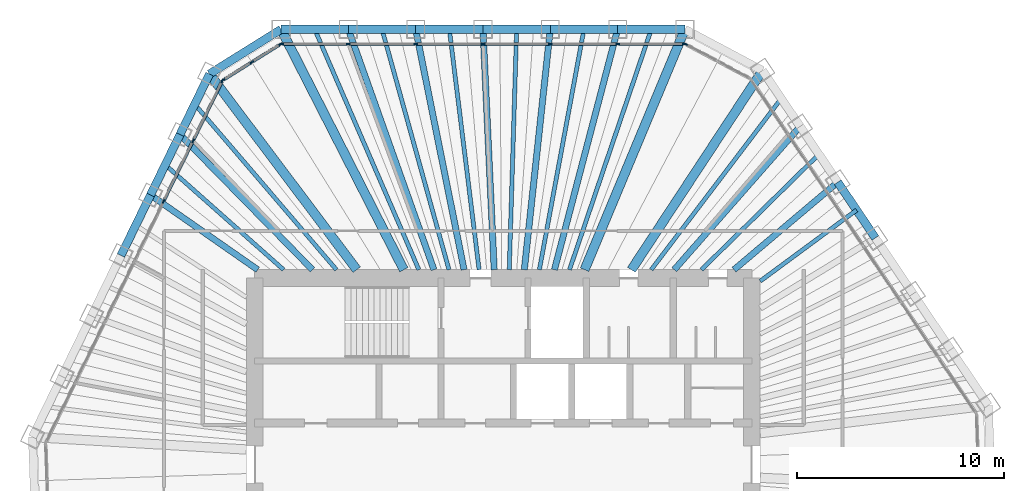
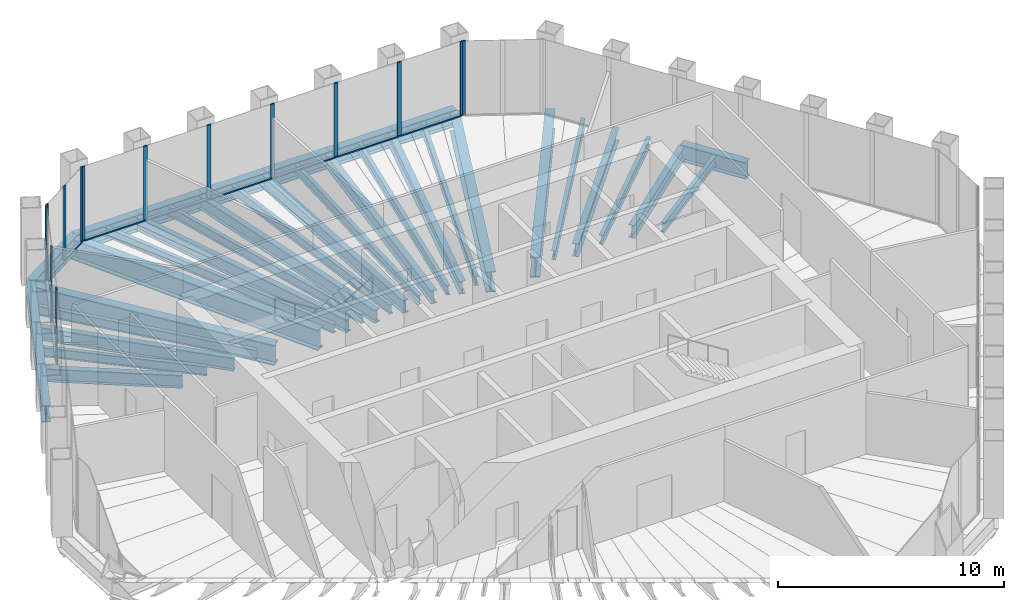
# One storey, part 7 of 14: 35 beams, 24 members, 4 elements without a shape of their own.
"""IFC4 building model written with IfcOpenShell, lengths in metres."""

import ifcopenshell
import ifcopenshell.guid

model = None  # the IFC model being written
_history = None  # IfcOwnerHistory: only IFC2X3 demands one
_inside = {}  # id of a spatial element -> (the spatial element, [elements in it])
_under = {}  # id of a project, library or spatial element -> (it, [spatial elements below it])
_declared = {}  # id of a project -> (the project, [libraries it declares])
_typed = {}  # id of a type object -> (the type object, [elements of that type])
_made_of = {}  # id of a material, layer set ... -> (it, [elements and type objects made of it])


def new_model(schema):
    """Start an empty IFC model of exactly this schema.

    Asked for "IFC4X3", IfcOpenShell would pick the latest addendum, in which some entities
    have other attributes; the version numbers below select the first issue.
    IFC2X3 requires an IfcOwnerHistory on every rooted entity: one is made here for all.
    """
    global model, _history
    if schema == "IFC4X3":
        model = ifcopenshell.file(schema_version=(4, 3, 0, 0))
    else:
        model = ifcopenshell.file(schema=schema)
    _inside.clear()
    _under.clear()
    _declared.clear()
    _typed.clear()
    _made_of.clear()
    _history = None
    if model.schema == "IFC2X3":
        org = make("IfcOrganization", Name="unknown")
        user = make(
            "IfcPersonAndOrganization",
            ThePerson=make("IfcPerson", FamilyName="unknown"),
            TheOrganization=org,
        )
        app = make(
            "IfcApplication",
            ApplicationDeveloper=org,
            Version="unknown",
            ApplicationFullName="unknown",
            ApplicationIdentifier="unknown",
        )
        _history = make(
            "IfcOwnerHistory",
            OwningUser=user,
            OwningApplication=app,
            ChangeAction="ADDED",
            CreationDate=0,
        )
    return model


def make(cls, **values):
    """One entity of the class cls with the attributes given. An attribute that is None is left unset."""
    return model.create_entity(
        cls, **{name: value for name, value in values.items() if value is not None}
    )


def rooted(cls, **values):
    """An entity with a GlobalId (a new one), such as an element, a storey or a relation."""
    return make(cls, GlobalId=ifcopenshell.guid.new(), OwnerHistory=_history, **values)


def si_unit(unit_type, name, prefix=None):
    """IfcSIUnit, for example si_unit("LENGTHUNIT", "METRE", prefix="MILLI")."""
    return make("IfcSIUnit", UnitType=unit_type, Prefix=prefix, Name=name)


def assignment(units):
    """IfcUnitAssignment: the units of a project."""
    return None if units is None else make("IfcUnitAssignment", Units=units)


def point(xyz):
    """IfcCartesianPoint."""
    return None if xyz is None else make("IfcCartesianPoint", Coordinates=xyz)


def direction(xyz):
    """IfcDirection."""
    return None if xyz is None else make("IfcDirection", DirectionRatios=xyz)


def frame(location, z_axis=None, x_axis=None):
    """IfcAxis2Placement3D, a coordinate frame: its origin and axes. An axis left out is left unset."""
    return make(
        "IfcAxis2Placement3D",
        Location=point(location),
        Axis=direction(z_axis),
        RefDirection=direction(x_axis),
    )


def frame_2d(location, x_axis=None):
    """IfcAxis2Placement2D, a coordinate frame in the plane: its origin and x axis."""
    return make(
        "IfcAxis2Placement2D", Location=point(location), RefDirection=direction(x_axis)
    )


def origin():
    """The frame at (0, 0, 0) with its axes left unset."""
    return frame((0.0, 0.0, 0.0))


def origin_2d():
    """The frame at (0, 0) in the plane with its x axis left unset."""
    return frame_2d((0.0, 0.0))


def place(relative_to, where):
    """IfcLocalPlacement: puts the frame where relative to a parent placement (None: the world)."""
    return make(
        "IfcLocalPlacement", PlacementRelTo=relative_to, RelativePlacement=where
    )


def context(
    kind, dimensions, precision=None, world=None, true_north=None, identifier=None
):
    """IfcGeometricRepresentationContext, for example the 3D "Model" context."""
    return make(
        "IfcGeometricRepresentationContext",
        ContextIdentifier=identifier,
        ContextType=kind,
        CoordinateSpaceDimension=dimensions,
        Precision=precision,
        WorldCoordinateSystem=world,
        TrueNorth=true_north,
    )


def subcontext(parent, identifier, kind, view, scale=None):
    """IfcGeometricRepresentationSubContext, for example "Body" below "Model"."""
    return make(
        "IfcGeometricRepresentationSubContext",
        ContextIdentifier=identifier,
        ContextType=kind,
        ParentContext=parent,
        TargetScale=scale,
        TargetView=view,
    )


def project(units=None, contexts=None):
    """IfcProject with its units and contexts."""
    return rooted(
        "IfcProject",
        Name="project",
        RepresentationContexts=contexts,
        UnitsInContext=assignment(units),
    )


def spatial(cls, under=None, at=None, **own):
    """A site, building, storey or space (cls), placed at a placement, below another one or the project."""
    s = rooted(cls, ObjectPlacement=at, **own)
    if under is not None:
        _under.setdefault(under.id(), (under, []))[1].append(s)
    return s


def profile(cls, at=None, kind="AREA", **sizes):
    """A parametric profile (cls). Its sizes go by their IFC names, for example OverallWidth=200.0."""
    return make(cls, ProfileType=kind, Position=at, **sizes)


def rectangle(**sizes):
    """IfcRectangleProfileDef."""
    return profile("IfcRectangleProfileDef", **sizes)


def i_section(**sizes):
    """IfcIShapeProfileDef."""
    return profile("IfcIShapeProfileDef", **sizes)


def extrude(swept, where, along, depth):
    """IfcExtrudedAreaSolid: the profile swept, set in the frame where, extruded along a direction by depth."""
    return make(
        "IfcExtrudedAreaSolid",
        SweptArea=swept,
        Position=where,
        ExtrudedDirection=direction(along),
        Depth=depth,
    )


def shape(context_of_items, identifier, shape_type, items):
    """IfcShapeRepresentation: the items that make up one representation, for example the "Body"."""
    return make(
        "IfcShapeRepresentation",
        ContextOfItems=context_of_items,
        RepresentationIdentifier=identifier,
        RepresentationType=shape_type,
        Items=items,
    )


def material(Name=None, Category=None):
    """IfcMaterial."""
    return make("IfcMaterial", Name=Name, Category=Category)


def material_profile(
    of_material, cross_section, Name=None, Category=None, Priority=None
):
    """IfcMaterialProfile: a cross section and its material."""
    return make(
        "IfcMaterialProfile",
        Name=Name,
        Material=of_material,
        Profile=cross_section,
        Priority=Priority,
        Category=Category,
    )


def profile_set(profiles, Name=None, composite=None):
    """IfcMaterialProfileSet."""
    return make(
        "IfcMaterialProfileSet",
        Name=Name,
        MaterialProfiles=profiles,
        CompositeProfile=composite,
    )


def made_of(thing, what):
    """Note that an element or type object is made of a material, layer set ...; save() writes the relation."""
    if what is not None:
        _made_of.setdefault(what.id(), (what, []))[1].append(thing)
    return thing


def type_object(cls, material=None, **own):
    """A type object (cls), such as IfcWallType, which elements share."""
    return made_of(rooted(cls, **own), material)


def element(
    cls,
    number,
    at=None,
    inside=None,
    cuts=None,
    type_object=None,
    material=None,
    context=None,
    identifier="Body",
    shape_type=None,
    held_by="IfcProductDefinitionShape",
    body=None,
    shapes=None,
    **own,
):
    """One element of the class cls, such as IfcWall. Its Tag is "e" and its number.

    at: its placement. inside: the storey or other place that contains it. cuts: it is an
    opening in that element (IfcRelVoidsElement). A single representation is given by context,
    identifier, shape_type and body (its items); several are given by shapes. held_by: the class
    of the entity that holds the representations. save() writes the other relations.
    """
    e = rooted(cls, Tag="e%d" % number, ObjectPlacement=at, **own)
    if body is not None:
        shapes = [shape(context, identifier, shape_type, body)]
    if shapes is not None:
        e.Representation = make(held_by, Representations=shapes)
    if inside is not None:
        _inside.setdefault(inside.id(), (inside, []))[1].append(e)
    if cuts is not None:
        rooted(
            "IfcRelVoidsElement", RelatingBuildingElement=cuts, RelatedOpeningElement=e
        )
    if type_object is not None:
        _typed.setdefault(type_object.id(), (type_object, []))[1].append(e)
    return made_of(e, material)


def aggregate(whole, parts):
    """IfcRelAggregates: a whole, such as a stair, and the parts it consists of."""
    return rooted("IfcRelAggregates", RelatingObject=whole, RelatedObjects=parts)


def save(model, path):
    """Write the relations noted so far, then the file.

    IfcRelAggregates (storeys below a building ...), IfcRelContainedInSpatialStructure (elements
    in a storey), IfcRelDefinesByType, IfcRelAssociatesMaterial and IfcRelDeclares: one each for
    every whole, place, type object, material and project.
    """
    for whole, parts in _under.values():
        aggregate(whole, parts)
    for where, things in _inside.values():
        rooted(
            "IfcRelContainedInSpatialStructure",
            RelatedElements=things,
            RelatingStructure=where,
        )
    for kind, things in _typed.values():
        rooted("IfcRelDefinesByType", RelatedObjects=things, RelatingType=kind)
    for what, things in _made_of.values():
        rooted("IfcRelAssociatesMaterial", RelatedObjects=things, RelatingMaterial=what)
    for by, libraries in _declared.values():
        rooted("IfcRelDeclares", RelatingContext=by, RelatedDefinitions=libraries)
    model.write(path)


model = new_model("IFC4")

# Units and contexts
model_context = context("Model", 3, precision=1e-05, world=origin(), true_north=direction((0.0, 1.0)))
body_context = subcontext(model_context, "Body", "Model", "MODEL_VIEW")
ifc_project = project(units=[si_unit("LENGTHUNIT", "METRE"), si_unit("AREAUNIT", "SQUARE_METRE"), si_unit("VOLUMEUNIT", "CUBIC_METRE"), si_unit("PLANEANGLEUNIT", "RADIAN"), si_unit("MASSUNIT", "GRAM", prefix="KILO")], contexts=[model_context])

# Site, building, storey
site_placement = place(None, origin())
site = spatial("IfcSite", under=ifc_project, at=site_placement, CompositionType="ELEMENT")
building_placement = place(site_placement, origin())
building = spatial("IfcBuilding", under=site, at=building_placement, Name="Qingtian Harvest Tower", CompositionType="ELEMENT")
storey_placement = place(building_placement, frame((0.0, 0.0, 308.199951171875)))
storey = spatial("IfcBuildingStorey", under=building, at=storey_placement, Name="L68", CompositionType="ELEMENT", Elevation=308.199951171875)

# Beams
ifc_material_1 = material(Name="Steel SM570MC", Category="steel")
ifc_material_profile_1 = material_profile(ifc_material_1, i_section(OverallWidth=0.449951171875, OverallDepth=1.10009765625, WebThickness=0.02197265625, FlangeThickness=0.044921875, at=origin_2d()), Name="H1100x450x22x45")
ifc_profile_set_1 = profile_set([ifc_material_profile_1], Name="Steel SM570MC")
beam_type_1 = type_object("IfcBeamType", Name="Corner floor beam FB8 H1100x450x22x45", PredefinedType="BEAM", material=ifc_profile_set_1)
beam_1_placement = place(storey_placement, frame((-10.72216796875, 21.0, -0.719970703125), z_axis=(0.454725592954, -0.890631593372, 0.0), x_axis=(0.890631593372, 0.454725592954, 0.0)))
element("IfcBeam", 1, at=beam_1_placement, inside=storey, type_object=beam_type_1, Name="Floor beam FB8 N0", PredefinedType="BEAM", context=body_context, shape_type="SweptSolid", body=[
    extrude(i_section(OverallWidth=0.449951171875, OverallDepth=1.10009765625, WebThickness=0.02197265625, FlangeThickness=0.044921875, at=origin_2d()), origin(), (0.0, 0.0, 1.0), 13.024658203125),
])
beam_2_placement = place(storey_placement, frame((8.765869140625, 21.0, -0.719970703125), z_axis=(-0.385202803059, -0.922831945977, 0.0), x_axis=(0.922831945977, -0.385202803059, 0.0)))
element("IfcBeam", 2, at=beam_2_placement, inside=storey, type_object=beam_type_1, Name="Floor beam FB8 N6", PredefinedType="BEAM", context=body_context, shape_type="SweptSolid", body=[
    extrude(i_section(OverallWidth=0.449951171875, OverallDepth=1.10009765625, WebThickness=0.02197265625, FlangeThickness=0.044921875, at=origin_2d()), origin(), (0.0, 0.0, 1.0), 12.570068359375),
])
beam_3_placement = place(storey_placement, frame((12.508056640625, 19.01025390625, -0.719970703125), z_axis=(-0.549655478371, -0.835391438247, 0.0), x_axis=(0.835391438247, -0.549655478371, 0.0)))
element("IfcBeam", 3, at=beam_3_placement, inside=storey, type_object=beam_type_1, Name="Floor beam FB8 NE0", PredefinedType="BEAM", context=body_context, shape_type="SweptSolid", body=[
    extrude(i_section(OverallWidth=0.449951171875, OverallDepth=1.10009765625, WebThickness=0.02197265625, FlangeThickness=0.044921875, at=origin_2d()), origin(), (0.0, 0.0, 1.0), 11.50390625),
])
beam_4_placement = place(storey_placement, frame((-14.17431640625, 18.8427734375, -0.719970703125), z_axis=(0.601143201392, -0.799141321307, 0.0), x_axis=(0.799141321307, 0.601143201392, 0.0)))
element("IfcBeam", 4, at=beam_4_placement, inside=storey, type_object=beam_type_1, Name="Floor beam FB8 NW6", PredefinedType="BEAM", context=body_context, shape_type="SweptSolid", body=[
    extrude(i_section(OverallWidth=0.449951171875, OverallDepth=1.10009765625, WebThickness=0.02197265625, FlangeThickness=0.044921875, at=origin_2d()), origin(), (0.0, 0.0, 1.0), 11.816162109375),
])
ifc_material_2 = material(Name="Steel SN490B", Category="steel")
ifc_material_profile_2 = material_profile(ifc_material_2, i_section(OverallWidth=0.300048828125, OverallDepth=0.699951171875, WebThickness=0.012939453125, FlangeThickness=0.02392578125, at=origin_2d()), Name="H700x300x13x24")
ifc_profile_set_2 = profile_set([ifc_material_profile_2], Name="Steel SN490B")
beam_type_2 = type_object("IfcBeamType", Name="Floor beam FB4 H700x300x13x24", PredefinedType="BEAM", material=ifc_profile_set_2)
beam_5_placement = place(storey_placement, frame((-7.47412109375, 21.0, -0.52001953125), z_axis=(0.335293644082, -0.942113672673, 0.0), x_axis=(0.942113672673, 0.335293644082, 0.0)))
element("IfcBeam", 5, at=beam_5_placement, inside=storey, type_object=beam_type_2, Name="Floor beam FB4 N1", PredefinedType="BEAM", context=body_context, shape_type="SweptSolid", body=[
    extrude(i_section(OverallWidth=0.300048828125, OverallDepth=0.699951171875, WebThickness=0.012939453125, FlangeThickness=0.02392578125, at=origin_2d()), origin(), (0.0, 0.0, 1.0), 12.312744140625),
])
beam_6_placement = place(storey_placement, frame((-4.226318359375, 21.0, -0.52001953125), z_axis=(0.197290474792, -0.980345076265, 0.0), x_axis=(0.980345076265, 0.197290474792, 0.0)))
element("IfcBeam", 6, at=beam_6_placement, inside=storey, type_object=beam_type_2, Name="Floor beam FB4 N2", PredefinedType="BEAM", context=body_context, shape_type="SweptSolid", body=[
    extrude(i_section(OverallWidth=0.300048828125, OverallDepth=0.699951171875, WebThickness=0.012939453125, FlangeThickness=0.02392578125, at=origin_2d()), origin(), (0.0, 0.0, 1.0), 11.832763671875),
])
beam_7_placement = place(storey_placement, frame((-0.978271484375, 21.0, -0.52001953125), z_axis=(0.046546287853, -0.998916134161, 0.0), x_axis=(0.998916134161, 0.046546287853, 0.0)))
element("IfcBeam", 7, at=beam_7_placement, inside=storey, type_object=beam_type_2, Name="Floor beam FB4 N3", PredefinedType="BEAM", context=body_context, shape_type="SweptSolid", body=[
    extrude(i_section(OverallWidth=0.300048828125, OverallDepth=0.699951171875, WebThickness=0.012939453125, FlangeThickness=0.02392578125, at=origin_2d()), origin(), (0.0, 0.0, 1.0), 11.61279296875),
])
beam_8_placement = place(storey_placement, frame((2.269775390625, 21.0, -0.52001953125), z_axis=(-0.107447744153, -0.994210733334, 0.0), x_axis=(0.994210733334, -0.107447744153, 0.0)))
element("IfcBeam", 8, at=beam_8_placement, inside=storey, type_object=beam_type_2, Name="Floor beam FB4 N4", PredefinedType="BEAM", context=body_context, shape_type="SweptSolid", body=[
    extrude(i_section(OverallWidth=0.300048828125, OverallDepth=0.699951171875, WebThickness=0.012939453125, FlangeThickness=0.02392578125, at=origin_2d()), origin(), (0.0, 0.0, 1.0), 11.667724609375),
])
beam_9_placement = place(storey_placement, frame((5.517822265625, 21.0, -0.52001953125), z_axis=(-0.254118548412, -0.967173078282, 0.0), x_axis=(0.967173078282, -0.254118548412, 0.0)))
element("IfcBeam", 9, at=beam_9_placement, inside=storey, type_object=beam_type_2, Name="Floor beam FB4 N5", PredefinedType="BEAM", context=body_context, shape_type="SweptSolid", body=[
    extrude(i_section(OverallWidth=0.300048828125, OverallDepth=0.699951171875, WebThickness=0.012939453125, FlangeThickness=0.02392578125, at=origin_2d()), origin(), (0.0, 0.0, 1.0), 11.993896484375),
])
beam_10_placement = place(storey_placement, frame((14.32421875, 16.317626953125, -0.52001953125), z_axis=(-0.659703637934, -0.751525854576, 0.0), x_axis=(0.751525854576, -0.659703637934, 0.0)))
element("IfcBeam", 10, at=beam_10_placement, inside=storey, type_object=beam_type_2, Name="Floor beam FB4 NE1", PredefinedType="BEAM", context=body_context, shape_type="SweptSolid", body=[
    extrude(i_section(OverallWidth=0.300048828125, OverallDepth=0.699951171875, WebThickness=0.012939453125, FlangeThickness=0.02392578125, at=origin_2d()), origin(), (0.0, 0.0, 1.0), 9.204833984375),
])
beam_11_placement = place(storey_placement, frame((16.140625, 13.624755859375, -0.52001953125), z_axis=(-0.764157701072, -0.645029462809, 0.0), x_axis=(0.645029462809, -0.764157701072, 0.0)))
element("IfcBeam", 11, at=beam_11_placement, inside=storey, type_object=beam_type_2, Name="Floor beam FB4 NE2", PredefinedType="BEAM", context=body_context, shape_type="SweptSolid", body=[
    extrude(i_section(OverallWidth=0.300048828125, OverallDepth=0.699951171875, WebThickness=0.012939453125, FlangeThickness=0.02392578125, at=origin_2d()), origin(), (0.0, 0.0, 1.0), 6.5498046875),
])
beam_12_placement = place(storey_placement, frame((-17.02197265625, 13.00439453125, -0.52001953125), z_axis=(0.820409176986, -0.571776864097, 0.0), x_axis=(0.571776864097, 0.820409176986, 0.0)))
element("IfcBeam", 12, at=beam_12_placement, inside=storey, type_object=beam_type_2, Name="Floor beam FB4 NW4", PredefinedType="BEAM", context=body_context, shape_type="SweptSolid", body=[
    extrude(i_section(OverallWidth=0.300048828125, OverallDepth=0.699951171875, WebThickness=0.012939453125, FlangeThickness=0.02392578125, at=origin_2d()), origin(), (0.0, 0.0, 1.0), 6.303955078125),
])
beam_13_placement = place(storey_placement, frame((-15.59814453125, 15.923583984375, -0.52001953125), z_axis=(0.699757003326, -0.714380946202, 0.0), x_axis=(0.714380946202, 0.699757003326, 0.0)))
element("IfcBeam", 13, at=beam_13_placement, inside=storey, type_object=beam_type_2, Name="Floor beam FB4 NW5", PredefinedType="BEAM", context=body_context, shape_type="SweptSolid", body=[
    extrude(i_section(OverallWidth=0.300048828125, OverallDepth=0.699951171875, WebThickness=0.012939453125, FlangeThickness=0.02392578125, at=origin_2d()), origin(), (0.0, 0.0, 1.0), 9.1318359375),
])
ifc_material_3 = material(Name="Steel SN490B", Category="steel")
ifc_material_profile_3 = material_profile(ifc_material_3, i_section(OverallWidth=0.199951171875, OverallDepth=0.5, WebThickness=0.010009765625, FlangeThickness=0.01611328125, at=origin_2d()), Name="H500x200x10x16")
ifc_profile_set_3 = profile_set([ifc_material_profile_3], Name="Steel SN490B")
beam_type_3 = type_object("IfcBeamType", Name="Floor joist J3 H500x200x10x16", PredefinedType="JOIST", material=ifc_profile_set_3)
beam_14_placement = place(storey_placement, frame((-9.09814453125, 21.0, -0.419921875), z_axis=(0.39753589741, -0.917586622761, 0.0), x_axis=(0.917586622761, 0.39753589741, 0.0)))
element("IfcBeam", 14, at=beam_14_placement, inside=storey, type_object=beam_type_3, Name="Floor joist J3 N0", PredefinedType="JOIST", context=body_context, shape_type="SweptSolid", body=[
    extrude(i_section(OverallWidth=0.199951171875, OverallDepth=0.5, WebThickness=0.010009765625, FlangeThickness=0.01611328125, at=origin_2d()), origin(), (0.0, 0.0, 1.0), 12.641845703125),
])
beam_15_placement = place(storey_placement, frame((-5.85009765625, 21.0, -0.419921875), z_axis=(0.268352758425, -0.963320713494, 0.0), x_axis=(0.963320713494, 0.268352758425, 0.0)))
element("IfcBeam", 15, at=beam_15_placement, inside=storey, type_object=beam_type_3, Name="Floor joist J3 N1", PredefinedType="JOIST", context=body_context, shape_type="SweptSolid", body=[
    extrude(i_section(OverallWidth=0.199951171875, OverallDepth=0.5, WebThickness=0.010009765625, FlangeThickness=0.01611328125, at=origin_2d()), origin(), (0.0, 0.0, 1.0), 12.041748046875),
])
beam_16_placement = place(storey_placement, frame((-2.602294921875, 21.0, -0.419921875), z_axis=(0.122980691304, -0.992409063626, 0.0), x_axis=(0.992409063626, 0.122980691304, 0.0)))
element("IfcBeam", 16, at=beam_16_placement, inside=storey, type_object=beam_type_3, Name="Floor joist J3 N2", PredefinedType="JOIST", context=body_context, shape_type="SweptSolid", body=[
    extrude(i_section(OverallWidth=0.199951171875, OverallDepth=0.5, WebThickness=0.010009765625, FlangeThickness=0.01611328125, at=origin_2d()), origin(), (0.0, 0.0, 1.0), 11.688720703125),
])
beam_17_placement = place(storey_placement, frame((0.645751953125, 21.0, -0.419921875), z_axis=(-0.030734305856, -0.999527589636, 0.0), x_axis=(0.999527589636, -0.030734305856, 0.0)))
element("IfcBeam", 17, at=beam_17_placement, inside=storey, type_object=beam_type_3, Name="Floor joist J3 N3", PredefinedType="JOIST", context=body_context, shape_type="SweptSolid", body=[
    extrude(i_section(OverallWidth=0.199951171875, OverallDepth=0.5, WebThickness=0.010009765625, FlangeThickness=0.01611328125, at=origin_2d()), origin(), (0.0, 0.0, 1.0), 11.60546875),
])
beam_18_placement = place(storey_placement, frame((3.893798828125, 21.0, -0.419921875), z_axis=(-0.182311561934, -0.983240812001, 0.0), x_axis=(0.983240812001, -0.182311561934, 0.0)))
element("IfcBeam", 18, at=beam_18_placement, inside=storey, type_object=beam_type_3, Name="Floor joist J3 N4", PredefinedType="JOIST", context=body_context, shape_type="SweptSolid", body=[
    extrude(i_section(OverallWidth=0.199951171875, OverallDepth=0.5, WebThickness=0.010009765625, FlangeThickness=0.01611328125, at=origin_2d()), origin(), (0.0, 0.0, 1.0), 11.7978515625),
])
beam_19_placement = place(storey_placement, frame((7.141845703125, 21.0, -0.419921875), z_axis=(-0.321978462512, -0.946746993488, 0.0), x_axis=(0.946746993488, -0.321978462512, 0.0)))
element("IfcBeam", 19, at=beam_19_placement, inside=storey, type_object=beam_type_3, Name="Floor joist J3 N5", PredefinedType="JOIST", context=body_context, shape_type="SweptSolid", body=[
    extrude(i_section(OverallWidth=0.199951171875, OverallDepth=0.5, WebThickness=0.010009765625, FlangeThickness=0.01611328125, at=origin_2d()), origin(), (0.0, 0.0, 1.0), 12.252685546875),
])
beam_20_placement = place(storey_placement, frame((13.416015625, 17.6640625, -0.419921875), z_axis=(-0.604829724016, -0.796354823522, 0.0), x_axis=(0.796354823522, -0.604829724016, 0.0)))
element("IfcBeam", 20, at=beam_20_placement, inside=storey, type_object=beam_type_3, Name="Floor joist J3 NE0", PredefinedType="JOIST", context=body_context, shape_type="SweptSolid", body=[
    extrude(i_section(OverallWidth=0.199951171875, OverallDepth=0.5, WebThickness=0.010009765625, FlangeThickness=0.01611328125, at=origin_2d()), origin(), (0.0, 0.0, 1.0), 10.37744140625),
])
beam_21_placement = place(storey_placement, frame((15.232421875, 14.97119140625, -0.419921875), z_axis=(-0.713193091885, -0.700967626704, 0.0), x_axis=(0.700967626704, -0.713193091885, 0.0)))
element("IfcBeam", 21, at=beam_21_placement, inside=storey, type_object=beam_type_3, Name="Floor joist J3 NE1", PredefinedType="JOIST", context=body_context, shape_type="SweptSolid", body=[
    extrude(i_section(OverallWidth=0.199951171875, OverallDepth=0.5, WebThickness=0.010009765625, FlangeThickness=0.01611328125, at=origin_2d()), origin(), (0.0, 0.0, 1.0), 7.947998046875),
])
beam_22_placement = place(storey_placement, frame((17.048583984375, 12.278564453125, -0.419921875), z_axis=(-0.804797608796, -0.59354933146, 0.0), x_axis=(0.59354933146, -0.804797608796, 0.0)))
element("IfcBeam", 22, at=beam_22_placement, inside=storey, type_object=beam_type_3, Name="Floor joist J3 NE2", PredefinedType="JOIST", context=body_context, shape_type="SweptSolid", body=[
    extrude(i_section(OverallWidth=0.199951171875, OverallDepth=0.5, WebThickness=0.010009765625, FlangeThickness=0.01611328125, at=origin_2d()), origin(), (0.0, 0.0, 1.0), 5.776123046875),
])
beam_23_placement = place(storey_placement, frame((-16.31005859375, 14.4638671875, -0.419921875), z_axis=(0.748174776717, -0.663501698177, 0.0), x_axis=(0.663501698177, 0.748174776717, 0.0)))
element("IfcBeam", 23, at=beam_23_placement, inside=storey, type_object=beam_type_3, Name="Floor joist J3 NW4", PredefinedType="JOIST", context=body_context, shape_type="SweptSolid", body=[
    extrude(i_section(OverallWidth=0.199951171875, OverallDepth=0.5, WebThickness=0.010009765625, FlangeThickness=0.01611328125, at=origin_2d()), origin(), (0.0, 0.0, 1.0), 7.632080078125),
])
beam_24_placement = place(storey_placement, frame((-14.88623046875, 17.38330078125, -0.419921875), z_axis=(0.650435500933, -0.75956149134, 0.0), x_axis=(0.75956149134, 0.650435500933, 0.0)))
element("IfcBeam", 24, at=beam_24_placement, inside=storey, type_object=beam_type_3, Name="Floor joist J3 NW5", PredefinedType="JOIST", context=body_context, shape_type="SweptSolid", body=[
    extrude(i_section(OverallWidth=0.199951171875, OverallDepth=0.5, WebThickness=0.010009765625, FlangeThickness=0.01611328125, at=origin_2d()), origin(), (0.0, 0.0, 1.0), 10.510498046875),
])

# Curtain wall, members
ifc_material_4 = material(Name="Bronze-anodised aluminium curtain wall", Category="aluminium")
curtain_wall_type = type_object("IfcCurtainWallType", Name="Curtain wall CW5 upper office", PredefinedType="USERDEFINED", material=ifc_material_4)
curtain_wall_1_placement = place(storey_placement, origin())
curtain_wall_1 = element("IfcCurtainWall", 25, at=curtain_wall_1_placement, inside=storey, type_object=curtain_wall_type, Name="Curtain wall CW5 L68 N0-5", ObjectType="RECESSED CURTAIN WALL", PredefinedType="USERDEFINED")
ifc_material_5 = material(Name="Bronze-anodised aluminium mullion", Category="aluminium")
ifc_material_profile_4 = material_profile(ifc_material_5, rectangle(XDim=0.06494140625, YDim=0.199951171875, at=origin_2d()), Name="AL 65x200")
ifc_profile_set_4 = profile_set([ifc_material_profile_4], Name="Bronze-anodised aluminium mullion")
member_type_1 = type_object("IfcMemberType", Name="Mullion CWM 65x200", PredefinedType="MULLION", material=ifc_profile_set_4)
member_1_placement = place(storey_placement, frame((-10.689697265625, 20.300048828125, 0.0), z_axis=(0.0, 0.0, 1.0), x_axis=(0.0, 1.0, 0.0)))
member_1 = element("IfcMember", 26, at=member_1_placement, type_object=member_type_1, Name="CW5 mullion 1", PredefinedType="MULLION", context=body_context, shape_type="SweptSolid", body=[
    extrude(rectangle(XDim=0.06494140625, YDim=0.199951171875, at=origin_2d()), origin(), (0.0, 0.0, 1.0), 4.030029296875),
])
member_2_placement = place(storey_placement, frame((-7.47412109375, 20.300048828125, 0.0), z_axis=(0.0, 0.0, 1.0), x_axis=(0.0, 1.0, 0.0)))
member_2 = element("IfcMember", 27, at=member_2_placement, type_object=member_type_1, Name="CW5 mullion 2", PredefinedType="MULLION", context=body_context, shape_type="SweptSolid", body=[
    extrude(rectangle(XDim=0.06494140625, YDim=0.199951171875, at=origin_2d()), origin(), (0.0, 0.0, 1.0), 4.030029296875),
])
member_3_placement = place(storey_placement, frame((-4.226318359375, 20.300048828125, 0.0), z_axis=(0.0, 0.0, 1.0), x_axis=(0.0, 1.0, 0.0)))
member_3 = element("IfcMember", 28, at=member_3_placement, type_object=member_type_1, Name="CW5 mullion 3", PredefinedType="MULLION", context=body_context, shape_type="SweptSolid", body=[
    extrude(rectangle(XDim=0.06494140625, YDim=0.199951171875, at=origin_2d()), origin(), (0.0, 0.0, 1.0), 4.030029296875),
])
member_4_placement = place(storey_placement, frame((-0.978271484375, 20.300048828125, 0.0), z_axis=(0.0, 0.0, 1.0), x_axis=(0.0, 1.0, 0.0)))
member_4 = element("IfcMember", 29, at=member_4_placement, type_object=member_type_1, Name="CW5 mullion 4", PredefinedType="MULLION", context=body_context, shape_type="SweptSolid", body=[
    extrude(rectangle(XDim=0.06494140625, YDim=0.199951171875, at=origin_2d()), origin(), (0.0, 0.0, 1.0), 4.030029296875),
])
member_5_placement = place(storey_placement, frame((2.269775390625, 20.300048828125, 0.0), z_axis=(0.0, 0.0, 1.0), x_axis=(0.0, 1.0, 0.0)))
member_5 = element("IfcMember", 30, at=member_5_placement, type_object=member_type_1, Name="CW5 mullion 5", PredefinedType="MULLION", context=body_context, shape_type="SweptSolid", body=[
    extrude(rectangle(XDim=0.06494140625, YDim=0.199951171875, at=origin_2d()), origin(), (0.0, 0.0, 1.0), 4.030029296875),
])
member_6_placement = place(storey_placement, frame((5.517822265625, 20.300048828125, 0.0), z_axis=(0.0, 0.0, 1.0), x_axis=(0.0, 1.0, 0.0)))
member_6 = element("IfcMember", 31, at=member_6_placement, type_object=member_type_1, Name="CW5 mullion 6", PredefinedType="MULLION", context=body_context, shape_type="SweptSolid", body=[
    extrude(rectangle(XDim=0.06494140625, YDim=0.199951171875, at=origin_2d()), origin(), (0.0, 0.0, 1.0), 4.030029296875),
])
member_7_placement = place(storey_placement, frame((8.7333984375, 20.300048828125, 0.0), z_axis=(0.0, 0.0, 1.0), x_axis=(0.0, 1.0, 0.0)))
member_7 = element("IfcMember", 32, at=member_7_placement, type_object=member_type_1, Name="CW5 mullion 7", PredefinedType="MULLION", context=body_context, shape_type="SweptSolid", body=[
    extrude(rectangle(XDim=0.06494140625, YDim=0.199951171875, at=origin_2d()), origin(), (0.0, 0.0, 1.0), 4.030029296875),
])

# Curtain wall, member
curtain_wall_2_placement = place(storey_placement, origin())
curtain_wall_2 = element("IfcCurtainWall", 33, at=curtain_wall_2_placement, inside=storey, type_object=curtain_wall_type, Name="Curtain wall CW5 L68 NC", ObjectType="RECESSED CURTAIN WALL", PredefinedType="USERDEFINED")
member_8_placement = place(storey_placement, frame((8.794677734375, 20.28466796875, 0.0), z_axis=(0.0, 0.0, 1.0), x_axis=(0.469471562786, 0.882947592859, 0.0)))
member_8 = element("IfcMember", 34, at=member_8_placement, type_object=member_type_1, Name="CW5 mullion 1", PredefinedType="MULLION", context=body_context, shape_type="SweptSolid", body=[
    extrude(rectangle(XDim=0.06494140625, YDim=0.199951171875, at=origin_2d()), origin(), (0.0, 0.0, 1.0), 4.030029296875),
])
aggregate(curtain_wall_2, [member_8])

# Curtain wall, members
curtain_wall_3_placement = place(storey_placement, origin())
curtain_wall_3 = element("IfcCurtainWall", 35, at=curtain_wall_3_placement, inside=storey, type_object=curtain_wall_type, Name="Curtain wall CW5 L68 NW0-5", ObjectType="RECESSED CURTAIN WALL", PredefinedType="USERDEFINED")
member_9_placement = place(storey_placement, frame((-16.392822265625, 12.697509765625, 0.0), z_axis=(0.0, 0.0, 1.0), x_axis=(-0.898794046299, 0.438371146789, 0.0)))
member_9 = element("IfcMember", 36, at=member_9_placement, type_object=member_type_1, Name="CW5 mullion 5", PredefinedType="MULLION", context=body_context, shape_type="SweptSolid", body=[
    extrude(rectangle(XDim=0.06494140625, YDim=0.199951171875, at=origin_2d()), origin(), (0.0, 0.0, 1.0), 4.030029296875),
])
member_10_placement = place(storey_placement, frame((-14.968994140625, 15.61669921875, 0.0), z_axis=(0.0, 0.0, 1.0), x_axis=(-0.898794046299, 0.438371146789, 0.0)))
member_10 = element("IfcMember", 37, at=member_10_placement, type_object=member_type_1, Name="CW5 mullion 6", PredefinedType="MULLION", context=body_context, shape_type="SweptSolid", body=[
    extrude(rectangle(XDim=0.06494140625, YDim=0.199951171875, at=origin_2d()), origin(), (0.0, 0.0, 1.0), 4.030029296875),
])
member_11_placement = place(storey_placement, frame((-13.559326171875, 18.5068359375, 0.0), z_axis=(0.0, 0.0, 1.0), x_axis=(-0.898794046299, 0.438371146789, 0.0)))
member_11 = element("IfcMember", 38, at=member_11_placement, type_object=member_type_1, Name="CW5 mullion 7", PredefinedType="MULLION", context=body_context, shape_type="SweptSolid", body=[
    extrude(rectangle(XDim=0.06494140625, YDim=0.199951171875, at=origin_2d()), origin(), (0.0, 0.0, 1.0), 4.030029296875),
])

curtain_wall_4_placement = place(storey_placement, origin())
curtain_wall_4 = element("IfcCurtainWall", 39, at=curtain_wall_4_placement, inside=storey, type_object=curtain_wall_type, Name="Curtain wall CW5 L68 NWC", ObjectType="RECESSED CURTAIN WALL", PredefinedType="USERDEFINED")
member_12_placement = place(storey_placement, frame((-13.517578125, 18.55322265625, 0.0), z_axis=(0.0, 0.0, 1.0), x_axis=(-0.529919264233, 0.848048096156, 0.0)))
member_12 = element("IfcMember", 40, at=member_12_placement, type_object=member_type_1, Name="CW5 mullion 1", PredefinedType="MULLION", context=body_context, shape_type="SweptSolid", body=[
    extrude(rectangle(XDim=0.06494140625, YDim=0.199951171875, at=origin_2d()), origin(), (0.0, 0.0, 1.0), 4.030029296875),
])
member_13_placement = place(storey_placement, frame((-12.1337890625, 19.41796875, 0.0), z_axis=(0.0, 0.0, 1.0), x_axis=(-0.529919264233, 0.848048096156, 0.0)))
member_13 = element("IfcMember", 41, at=member_13_placement, type_object=member_type_1, Name="CW5 mullion 2", PredefinedType="MULLION", context=body_context, shape_type="SweptSolid", body=[
    extrude(rectangle(XDim=0.06494140625, YDim=0.199951171875, at=origin_2d()), origin(), (0.0, 0.0, 1.0), 4.030029296875),
])
member_14_placement = place(storey_placement, frame((-10.749755859375, 20.28271484375, 0.0), z_axis=(0.0, 0.0, 1.0), x_axis=(-0.529919264233, 0.848048096156, 0.0)))
member_14 = element("IfcMember", 42, at=member_14_placement, type_object=member_type_1, Name="CW5 mullion 3", PredefinedType="MULLION", context=body_context, shape_type="SweptSolid", body=[
    extrude(rectangle(XDim=0.06494140625, YDim=0.199951171875, at=origin_2d()), origin(), (0.0, 0.0, 1.0), 4.030029296875),
])

# Beams
ifc_material_6 = material(Name="Steel SN490B", Category="steel")
ifc_material_profile_5 = material_profile(ifc_material_6, i_section(OverallWidth=0.39990234375, OverallDepth=0.89990234375, WebThickness=0.01904296875, FlangeThickness=0.035888671875, at=origin_2d()), Name="H900x400x19x36")
ifc_profile_set_5 = profile_set([ifc_material_profile_5], Name="Steel SN490B")
beam_type_4 = type_object("IfcBeamType", Name="Spandrel beam SB4 H900x400x19x36", PredefinedType="SPANDREL", material=ifc_profile_set_5)
beam_25_placement = place(storey_placement, frame((-10.72216796875, 21.0, -0.449951171875), z_axis=(1.0, 0.0, 0.0), x_axis=(0.0, 1.0, 0.0)))
element("IfcBeam", 43, at=beam_25_placement, inside=storey, type_object=beam_type_4, Name="Spandrel SB4 N0", PredefinedType="SPANDREL", context=body_context, shape_type="SweptSolid", body=[
    extrude(i_section(OverallWidth=0.39990234375, OverallDepth=0.89990234375, WebThickness=0.01904296875, FlangeThickness=0.035888671875, at=origin_2d()), origin(), (0.0, 0.0, 1.0), 3.248046875),
])
beam_26_placement = place(storey_placement, frame((-7.47412109375, 21.0, -0.449951171875), z_axis=(1.0, 0.0, 0.0), x_axis=(0.0, 1.0, 0.0)))
element("IfcBeam", 44, at=beam_26_placement, inside=storey, type_object=beam_type_4, Name="Spandrel SB4 N1", PredefinedType="SPANDREL", context=body_context, shape_type="SweptSolid", body=[
    extrude(i_section(OverallWidth=0.39990234375, OverallDepth=0.89990234375, WebThickness=0.01904296875, FlangeThickness=0.035888671875, at=origin_2d()), origin(), (0.0, 0.0, 1.0), 3.247802734375),
])
for number, where, z_axis, x_axis, name in (
    (45, (-4.226318359375, 21.0, -0.449951171875), (1.0, 0.0, 0.0), (0.0, 1.0, 0.0), "Spandrel SB4 N2"),
    (46, (-0.978271484375, 21.0, -0.449951171875), (1.0, 0.0, 0.0), (0.0, 1.0, 0.0), "Spandrel SB4 N3"),
    (47, (2.269775390625, 21.0, -0.449951171875), (1.0, 0.0, 0.0), (0.0, 1.0, 0.0), "Spandrel SB4 N4"),
    (48, (5.517822265625, 21.0, -0.449951171875), (1.0, 0.0, 0.0), (0.0, 1.0, 0.0), "Spandrel SB4 N5"),
):
    element("IfcBeam", number, at=place(storey_placement, frame(where, z_axis=z_axis, x_axis=x_axis)), inside=storey, type_object=beam_type_4, Name=name, PredefinedType="SPANDREL", context=body_context, shape_type="SweptSolid", body=[
        extrude(i_section(OverallWidth=0.39990234375, OverallDepth=0.89990234375, WebThickness=0.01904296875, FlangeThickness=0.035888671875, at=origin_2d()), origin(), (0.0, 0.0, 1.0), 3.248046875),
    ])
beam_27_placement = place(storey_placement, frame((16.140625, 13.624755859375, -0.449951171875), z_axis=(0.559184924833, -0.829042954158, 0.0), x_axis=(0.829042954158, 0.559184924833, 0.0)))
element("IfcBeam", 49, at=beam_27_placement, inside=storey, type_object=beam_type_4, Name="Spandrel SB4 NE2", PredefinedType="SPANDREL", context=body_context, shape_type="SweptSolid", body=[
    extrude(i_section(OverallWidth=0.39990234375, OverallDepth=0.89990234375, WebThickness=0.01904296875, FlangeThickness=0.035888671875, at=origin_2d()), origin(), (0.0, 0.0, 1.0), 3.247802734375),
])
beam_28_placement = place(storey_placement, frame((-18.44580078125, 10.0849609375, -0.449951171875), z_axis=(0.438352548749, 0.898803116931, 0.0), x_axis=(-0.898803116931, 0.438352548749, 0.0)))
element("IfcBeam", 50, at=beam_28_placement, inside=storey, type_object=beam_type_4, Name="Spandrel SB4 NW3", PredefinedType="SPANDREL", context=body_context, shape_type="SweptSolid", body=[
    extrude(i_section(OverallWidth=0.39990234375, OverallDepth=0.89990234375, WebThickness=0.01904296875, FlangeThickness=0.035888671875, at=origin_2d()), origin(), (0.0, 0.0, 1.0), 3.248046875),
])
for number, where, z_axis, x_axis, name in (
    (51, (-17.02197265625, 13.00439453125, -0.449951171875), (0.438382164311, 0.898788672611, 0.0), (-0.898788672611, 0.438382164311, 0.0), "Spandrel SB4 NW4"),
    (52, (-15.59814453125, 15.923583984375, -0.449951171875), (0.438382164311, 0.898788672611, 0.0), (-0.898788672611, 0.438382164311, 0.0), "Spandrel SB4 NW5"),
):
    element("IfcBeam", number, at=place(storey_placement, frame(where, z_axis=z_axis, x_axis=x_axis)), inside=storey, type_object=beam_type_4, Name=name, PredefinedType="SPANDREL", context=body_context, shape_type="SweptSolid", body=[
        extrude(i_section(OverallWidth=0.39990234375, OverallDepth=0.89990234375, WebThickness=0.01904296875, FlangeThickness=0.035888671875, at=origin_2d()), origin(), (0.0, 0.0, 1.0), 3.247802734375),
    ])
beam_29_placement = place(storey_placement, frame((-14.17431640625, 18.8427734375, -0.449951171875), z_axis=(0.848038733752, 0.529934246919, 0.0), x_axis=(-0.529934246919, 0.848038733752, 0.0)))
element("IfcBeam", 53, at=beam_29_placement, inside=storey, type_object=beam_type_4, Name="Spandrel SB4 NWC", PredefinedType="SPANDREL", context=body_context, shape_type="SweptSolid", body=[
    extrude(i_section(OverallWidth=0.39990234375, OverallDepth=0.89990234375, WebThickness=0.01904296875, FlangeThickness=0.035888671875, at=origin_2d()), origin(), (0.0, 0.0, 1.0), 4.07080078125),
])

# Member
ifc_material_7 = material(Name="Bronze-anodised aluminium transom", Category="aluminium")
ifc_material_profile_6 = material_profile(ifc_material_7, rectangle(XDim=0.14990234375, YDim=0.06494140625, at=origin_2d()), Name="AL 65x150")
ifc_profile_set_6 = profile_set([ifc_material_profile_6], Name="Bronze-anodised aluminium transom")
member_type_2 = type_object("IfcMemberType", Name="Transom CWT 65x150", PredefinedType="USERDEFINED", material=ifc_profile_set_6)
member_15_placement = place(storey_placement, frame((-10.6572265625, 20.300048828125, 0.032470703125), z_axis=(1.0, 0.0, 0.0), x_axis=(0.0, 1.0, 0.0)))
member_15 = element("IfcMember", 54, at=member_15_placement, type_object=member_type_2, Name="CW5 transom 1.1", ObjectType="TRANSOM", PredefinedType="USERDEFINED", context=body_context, shape_type="SweptSolid", body=[
    extrude(rectangle(XDim=0.14990234375, YDim=0.06494140625, at=origin_2d()), origin(), (0.0, 0.0, 1.0), 3.150390625),
])

member_16_placement = place(storey_placement, frame((-7.441650390625, 20.300048828125, 0.032470703125), z_axis=(1.0, 0.0, 0.0), x_axis=(0.0, 1.0, 0.0)))
member_16 = element("IfcMember", 55, at=member_16_placement, type_object=member_type_2, Name="CW5 transom 2.1", ObjectType="TRANSOM", PredefinedType="USERDEFINED", context=body_context, shape_type="SweptSolid", body=[
    extrude(rectangle(XDim=0.14990234375, YDim=0.06494140625, at=origin_2d()), origin(), (0.0, 0.0, 1.0), 3.182861328125),
])

member_17_placement = place(storey_placement, frame((-4.193603515625, 20.300048828125, 0.032470703125), z_axis=(1.0, 0.0, 0.0), x_axis=(0.0, 1.0, 0.0)))
member_17 = element("IfcMember", 56, at=member_17_placement, type_object=member_type_2, Name="CW5 transom 3.1", ObjectType="TRANSOM", PredefinedType="USERDEFINED", context=body_context, shape_type="SweptSolid", body=[
    extrude(rectangle(XDim=0.14990234375, YDim=0.06494140625, at=origin_2d()), origin(), (0.0, 0.0, 1.0), 3.182861328125),
])

member_18_placement = place(storey_placement, frame((-0.94580078125, 20.300048828125, 0.032470703125), z_axis=(1.0, 0.0, 0.0), x_axis=(0.0, 1.0, 0.0)))
member_18 = element("IfcMember", 57, at=member_18_placement, type_object=member_type_2, Name="CW5 transom 4.1", ObjectType="TRANSOM", PredefinedType="USERDEFINED", context=body_context, shape_type="SweptSolid", body=[
    extrude(rectangle(XDim=0.14990234375, YDim=0.06494140625, at=origin_2d()), origin(), (0.0, 0.0, 1.0), 3.18310546875),
])

member_19_placement = place(storey_placement, frame((2.30224609375, 20.300048828125, 0.032470703125), z_axis=(1.0, 0.0, 0.0), x_axis=(0.0, 1.0, 0.0)))
member_19 = element("IfcMember", 58, at=member_19_placement, type_object=member_type_2, Name="CW5 transom 5.1", ObjectType="TRANSOM", PredefinedType="USERDEFINED", context=body_context, shape_type="SweptSolid", body=[
    extrude(rectangle(XDim=0.14990234375, YDim=0.06494140625, at=origin_2d()), origin(), (0.0, 0.0, 1.0), 3.18310546875),
])

member_20_placement = place(storey_placement, frame((5.55029296875, 20.300048828125, 0.032470703125), z_axis=(1.0, 0.0, 0.0), x_axis=(0.0, 1.0, 0.0)))
member_20 = element("IfcMember", 59, at=member_20_placement, type_object=member_type_2, Name="CW5 transom 6.1", ObjectType="TRANSOM", PredefinedType="USERDEFINED", context=body_context, shape_type="SweptSolid", body=[
    extrude(rectangle(XDim=0.14990234375, YDim=0.06494140625, at=origin_2d()), origin(), (0.0, 0.0, 1.0), 3.150634765625),
])

aggregate(curtain_wall_1, [member_1, member_2, member_3, member_4, member_5, member_6, member_7, member_15, member_16, member_17, member_18, member_19, member_20])

member_21_placement = place(storey_placement, frame((-16.378662109375, 12.7265625, 0.032470703125), z_axis=(0.438355626738, 0.898801615768, 0.0), x_axis=(-0.898801615768, 0.438355626738, 0.0)))
member_21 = element("IfcMember", 60, at=member_21_placement, type_object=member_type_2, Name="CW5 transom 5.1", ObjectType="TRANSOM", PredefinedType="USERDEFINED", context=body_context, shape_type="SweptSolid", body=[
    extrude(rectangle(XDim=0.14990234375, YDim=0.06494140625, at=origin_2d()), origin(), (0.0, 0.0, 1.0), 3.182861328125),
])

member_22_placement = place(storey_placement, frame((-14.954833984375, 15.64599609375, 0.032470703125), z_axis=(0.438388515075, 0.898785575012, 0.0), x_axis=(-0.898785575012, 0.438388515075, 0.0)))
member_22 = element("IfcMember", 61, at=member_22_placement, type_object=member_type_2, Name="CW5 transom 6.1", ObjectType="TRANSOM", PredefinedType="USERDEFINED", context=body_context, shape_type="SweptSolid", body=[
    extrude(rectangle(XDim=0.14990234375, YDim=0.06494140625, at=origin_2d()), origin(), (0.0, 0.0, 1.0), 3.150390625),
])

aggregate(curtain_wall_3, [member_9, member_10, member_11, member_21, member_22])

member_23_placement = place(storey_placement, frame((-13.489990234375, 18.570556640625, 0.032470703125), z_axis=(0.848015812303, 0.529970925697, 0.0), x_axis=(-0.529970925697, 0.848015812303, 0.0)))
member_23 = element("IfcMember", 62, at=member_23_placement, type_object=member_type_2, Name="CW5 transom 1.1", ObjectType="TRANSOM", PredefinedType="USERDEFINED", context=body_context, shape_type="SweptSolid", body=[
    extrude(rectangle(XDim=0.14990234375, YDim=0.06494140625, at=origin_2d()), origin(), (0.0, 0.0, 1.0), 1.566650390625),
])

member_24_placement = place(storey_placement, frame((-12.106201171875, 19.435302734375, 0.032470703125), z_axis=(0.848059570903, 0.529900900357, 0.0), x_axis=(-0.529900900357, 0.848059570903, 0.0)))
member_24 = element("IfcMember", 63, at=member_24_placement, type_object=member_type_2, Name="CW5 transom 2.1", ObjectType="TRANSOM", PredefinedType="USERDEFINED", context=body_context, shape_type="SweptSolid", body=[
    extrude(rectangle(XDim=0.14990234375, YDim=0.06494140625, at=origin_2d()), origin(), (0.0, 0.0, 1.0), 1.56689453125),
])

aggregate(curtain_wall_4, [member_12, member_13, member_14, member_23, member_24])

save(model, "model.ifc")
